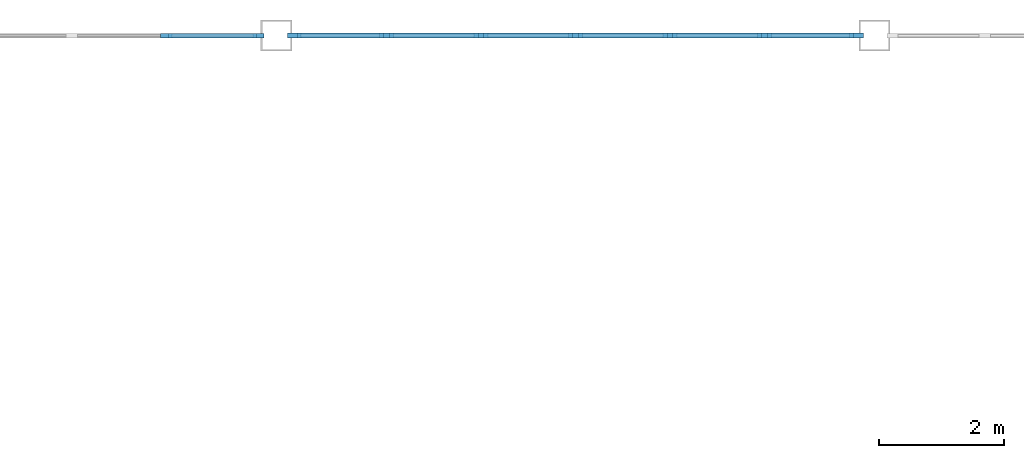
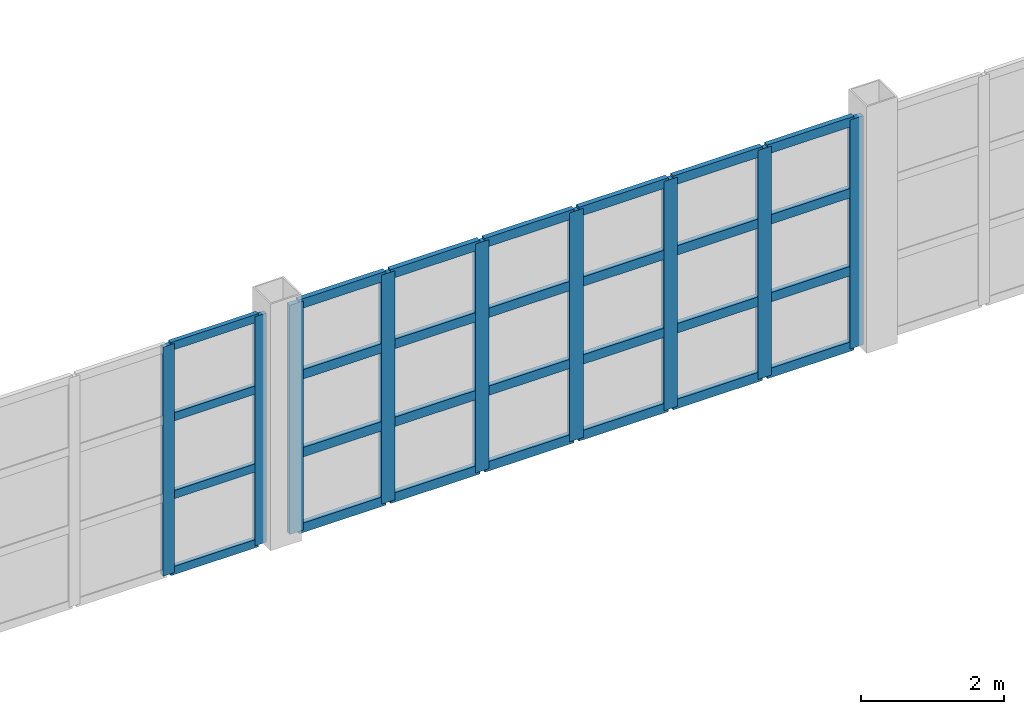
# One storey, part 38 of 82: 37 members, 2 elements without a shape of their own.
"""IFC4 building model written with IfcOpenShell, lengths in metres."""

from ifc_helpers import new_model, si_unit, direction, frame, origin, origin_2d, place, context, subcontext, project, spatial, rectangle, extrude, material, layer, layer_set, material_profile, profile_set, type_object, element, aggregate, save


model = new_model("IFC4")

# Units and contexts
model_context = context("Model", 3, precision=1e-05, world=origin(), true_north=direction((0.0, 1.0)))
body_context = subcontext(model_context, "Body", "Model", "MODEL_VIEW")
ifc_project = project(units=[si_unit("LENGTHUNIT", "METRE"), si_unit("AREAUNIT", "SQUARE_METRE"), si_unit("VOLUMEUNIT", "CUBIC_METRE"), si_unit("PLANEANGLEUNIT", "RADIAN"), si_unit("MASSUNIT", "GRAM", prefix="KILO")], contexts=[model_context])

# Site, building, storey
site_placement = place(None, origin())
site = spatial("IfcSite", under=ifc_project, at=site_placement, CompositionType="ELEMENT")
building_placement = place(site_placement, origin())
building = spatial("IfcBuilding", under=site, at=building_placement, Name="Zarnetskaya Central Station", CompositionType="ELEMENT")
storey_placement = place(building_placement, frame((0.0, 0.0, 10.199951171875)))
storey = spatial("IfcBuildingStorey", under=building, at=storey_placement, Name="L02", CompositionType="ELEMENT", Elevation=10.199951171875)

# Curtain wall, members
ifc_material_1 = material(Name="Low-E insulated glass", Category="glass")
ifc_layer = layer(ifc_material_1, 0.1640625, Name="Low-E insulated glass", Category="glass")
ifc_layer_set = layer_set([ifc_layer], Name="Low-E insulated glass")
curtain_wall_type = type_object("IfcCurtainWallType", Name="CW-SYS-12", PredefinedType="USERDEFINED", material=ifc_layer_set)
curtain_wall_1_placement = place(storey_placement, origin())
curtain_wall_1 = element("IfcCurtainWall", 1, at=curtain_wall_1_placement, inside=storey, type_object=curtain_wall_type, Name="Curtain wall CW-L02-171", ObjectType="CURTAIN WALL", PredefinedType="USERDEFINED")
ifc_material_2 = material(Name="Anodised aluminium", Category="aluminium")
ifc_material_profile_1 = material_profile(ifc_material_2, rectangle(XDim=0.070068359375, YDim=0.179931640625, at=origin_2d()), Name="ALU MULL 70x180")
ifc_profile_set_1 = profile_set([ifc_material_profile_1], Name="Anodised aluminium")
member_type_1 = type_object("IfcMemberType", Name="CW-MULL-180", PredefinedType="MULLION", material=ifc_profile_set_1)
member_1_placement = place(storey_placement, frame((84.63330078125, 124.800048828125, 0.0), z_axis=(0.0, 0.0, 1.0), x_axis=(0.0, 1.0, 0.0)))
member_1 = element("IfcMember", 2, at=member_1_placement, type_object=member_type_1, Name="CW-18 mullion 6", PredefinedType="MULLION", context=body_context, shape_type="SweptSolid", body=[
    extrude(rectangle(XDim=0.070068359375, YDim=0.179931640625, at=origin_2d()), origin(), (0.0, 0.0, 1.0), 3.900146484375),
])
member_2_placement = place(storey_placement, frame((86.114990234375, 124.800048828125, 0.0), z_axis=(0.0, 0.0, 1.0), x_axis=(0.0, 1.0, 0.0)))
member_2 = element("IfcMember", 3, at=member_2_placement, type_object=member_type_1, Name="CW-18 mullion 7", PredefinedType="MULLION", context=body_context, shape_type="SweptSolid", body=[
    extrude(rectangle(XDim=0.070068359375, YDim=0.179931640625, at=origin_2d()), origin(), (0.0, 0.0, 1.0), 3.900146484375),
])

curtain_wall_2_placement = place(storey_placement, origin())
curtain_wall_2 = element("IfcCurtainWall", 4, at=curtain_wall_2_placement, inside=storey, type_object=curtain_wall_type, Name="Curtain wall CW-L02-172", ObjectType="CURTAIN WALL", PredefinedType="USERDEFINED")
ifc_material_profile_2 = material_profile(ifc_material_2, rectangle(XDim=0.080078125, YDim=0.219970703125, at=origin_2d()), Name="ALU MULL 80x220")
ifc_profile_set_2 = profile_set([ifc_material_profile_2], Name="Anodised aluminium")
member_type_2 = type_object("IfcMemberType", Name="CW-MULL-220", PredefinedType="MULLION", material=ifc_profile_set_2)
member_3_placement = place(storey_placement, frame((86.68994140625, 124.800048828125, 0.0), z_axis=(0.0, 0.0, 1.0), x_axis=(0.0, 1.0, 0.0)))
member_3 = element("IfcMember", 5, at=member_3_placement, type_object=member_type_2, Name="CW-18 mullion 1", PredefinedType="MULLION", context=body_context, shape_type="SweptSolid", body=[
    extrude(rectangle(XDim=0.080078125, YDim=0.219970703125, at=origin_2d()), origin(), (0.0, 0.0, 1.0), 3.900146484375),
])
member_4_placement = place(storey_placement, frame((88.166748046875, 124.800048828125, 0.0), z_axis=(0.0, 0.0, 1.0), x_axis=(0.0, 1.0, 0.0)))
member_4 = element("IfcMember", 6, at=member_4_placement, type_object=member_type_2, Name="CW-18 mullion 2", PredefinedType="MULLION", context=body_context, shape_type="SweptSolid", body=[
    extrude(rectangle(XDim=0.080078125, YDim=0.219970703125, at=origin_2d()), origin(), (0.0, 0.0, 1.0), 3.900146484375),
])
member_5_placement = place(storey_placement, frame((89.683349609375, 124.800048828125, 0.0), z_axis=(0.0, 0.0, 1.0), x_axis=(0.0, 1.0, 0.0)))
member_5 = element("IfcMember", 7, at=member_5_placement, type_object=member_type_2, Name="CW-18 mullion 3", PredefinedType="MULLION", context=body_context, shape_type="SweptSolid", body=[
    extrude(rectangle(XDim=0.080078125, YDim=0.219970703125, at=origin_2d()), origin(), (0.0, 0.0, 1.0), 3.900146484375),
])
member_6_placement = place(storey_placement, frame((91.199951171875, 124.800048828125, 0.0), z_axis=(0.0, 0.0, 1.0), x_axis=(0.0, 1.0, 0.0)))
member_6 = element("IfcMember", 8, at=member_6_placement, type_object=member_type_2, Name="CW-18 mullion 4", PredefinedType="MULLION", context=body_context, shape_type="SweptSolid", body=[
    extrude(rectangle(XDim=0.080078125, YDim=0.219970703125, at=origin_2d()), origin(), (0.0, 0.0, 1.0), 3.900146484375),
])
member_7_placement = place(storey_placement, frame((92.716552734375, 124.800048828125, 0.0), z_axis=(0.0, 0.0, 1.0), x_axis=(0.0, 1.0, 0.0)))
member_7 = element("IfcMember", 9, at=member_7_placement, type_object=member_type_2, Name="CW-18 mullion 5", PredefinedType="MULLION", context=body_context, shape_type="SweptSolid", body=[
    extrude(rectangle(XDim=0.080078125, YDim=0.219970703125, at=origin_2d()), origin(), (0.0, 0.0, 1.0), 3.900146484375),
])
member_8_placement = place(storey_placement, frame((94.2333984375, 124.800048828125, 0.0), z_axis=(0.0, 0.0, 1.0), x_axis=(0.0, 1.0, 0.0)))
member_8 = element("IfcMember", 10, at=member_8_placement, type_object=member_type_2, Name="CW-18 mullion 6", PredefinedType="MULLION", context=body_context, shape_type="SweptSolid", body=[
    extrude(rectangle(XDim=0.080078125, YDim=0.219970703125, at=origin_2d()), origin(), (0.0, 0.0, 1.0), 3.900146484375),
])
member_9_placement = place(storey_placement, frame((95.7099609375, 124.800048828125, 0.0), z_axis=(0.0, 0.0, 1.0), x_axis=(0.0, 1.0, 0.0)))
member_9 = element("IfcMember", 11, at=member_9_placement, type_object=member_type_2, Name="CW-18 mullion 7", PredefinedType="MULLION", context=body_context, shape_type="SweptSolid", body=[
    extrude(rectangle(XDim=0.080078125, YDim=0.219970703125, at=origin_2d()), origin(), (0.0, 0.0, 1.0), 3.900146484375),
])

# Member
ifc_material_profile_3 = material_profile(ifc_material_2, rectangle(XDim=0.070068359375, YDim=0.139892578125, at=origin_2d()), Name="ALU TRAN 70x140")
ifc_profile_set_3 = profile_set([ifc_material_profile_3], Name="Anodised aluminium")
member_type_3 = type_object("IfcMemberType", Name="CW-TRAN-140", PredefinedType="USERDEFINED", material=ifc_profile_set_3)
member_10_placement = place(storey_placement, frame((84.668212890625, 124.800048828125, 0.03515625), z_axis=(1.0, 0.0, 0.0), x_axis=(0.0, 1.0, 0.0)))
member_10 = element("IfcMember", 12, at=member_10_placement, type_object=member_type_3, Name="CW-18 transom 6.1", ObjectType="TRANSOM", PredefinedType="USERDEFINED", context=body_context, shape_type="SweptSolid", body=[
    extrude(rectangle(XDim=0.070068359375, YDim=0.139892578125, at=origin_2d()), origin(), (0.0, 0.0, 1.0), 1.411865234375),
])

member_11_placement = place(storey_placement, frame((84.668212890625, 124.800048828125, 1.325927734375), z_axis=(1.0, 0.0, 0.0), x_axis=(0.0, 1.0, 0.0)))
member_11 = element("IfcMember", 13, at=member_11_placement, type_object=member_type_3, Name="CW-18 transom 6.2", ObjectType="TRANSOM", PredefinedType="USERDEFINED", context=body_context, shape_type="SweptSolid", body=[
    extrude(rectangle(XDim=0.070068359375, YDim=0.139892578125, at=origin_2d()), origin(), (0.0, 0.0, 1.0), 1.411865234375),
])

member_12_placement = place(storey_placement, frame((84.668212890625, 124.800048828125, 2.652099609375), z_axis=(1.0, 0.0, 0.0), x_axis=(0.0, 1.0, 0.0)))
member_12 = element("IfcMember", 14, at=member_12_placement, type_object=member_type_3, Name="CW-18 transom 6.3", ObjectType="TRANSOM", PredefinedType="USERDEFINED", context=body_context, shape_type="SweptSolid", body=[
    extrude(rectangle(XDim=0.070068359375, YDim=0.139892578125, at=origin_2d()), origin(), (0.0, 0.0, 1.0), 1.411865234375),
])

member_13_placement = place(storey_placement, frame((84.668212890625, 124.800048828125, 3.864990234375), z_axis=(1.0, 0.0, 0.0), x_axis=(0.0, 1.0, 0.0)))
member_13 = element("IfcMember", 15, at=member_13_placement, type_object=member_type_3, Name="CW-18 transom 6.4", ObjectType="TRANSOM", PredefinedType="USERDEFINED", context=body_context, shape_type="SweptSolid", body=[
    extrude(rectangle(XDim=0.070068359375, YDim=0.139892578125, at=origin_2d()), origin(), (0.0, 0.0, 1.0), 1.411865234375),
])

aggregate(curtain_wall_1, [member_1, member_2, member_10, member_11, member_12, member_13])

ifc_material_profile_4 = material_profile(ifc_material_2, rectangle(XDim=0.080078125, YDim=0.159912109375, at=origin_2d()), Name="ALU TRAN 80x160")
ifc_profile_set_4 = profile_set([ifc_material_profile_4], Name="Anodised aluminium")
member_type_4 = type_object("IfcMemberType", Name="CW-TRAN-160", PredefinedType="USERDEFINED", material=ifc_profile_set_4)
member_14_placement = place(storey_placement, frame((86.72998046875, 124.800048828125, 0.0400390625), z_axis=(1.0, 0.0, 0.0), x_axis=(0.0, 1.0, 0.0)))
member_14 = element("IfcMember", 16, at=member_14_placement, type_object=member_type_4, Name="CW-18 transom 1.1", ObjectType="TRANSOM", PredefinedType="USERDEFINED", context=body_context, shape_type="SweptSolid", body=[
    extrude(rectangle(XDim=0.080078125, YDim=0.159912109375, at=origin_2d()), origin(), (0.0, 0.0, 1.0), 1.396728515625),
])

member_15_placement = place(storey_placement, frame((86.72998046875, 124.800048828125, 1.325927734375), z_axis=(1.0, 0.0, 0.0), x_axis=(0.0, 1.0, 0.0)))
member_15 = element("IfcMember", 17, at=member_15_placement, type_object=member_type_4, Name="CW-18 transom 1.2", ObjectType="TRANSOM", PredefinedType="USERDEFINED", context=body_context, shape_type="SweptSolid", body=[
    extrude(rectangle(XDim=0.080078125, YDim=0.159912109375, at=origin_2d()), origin(), (0.0, 0.0, 1.0), 1.396728515625),
])

member_16_placement = place(storey_placement, frame((86.72998046875, 124.800048828125, 2.652099609375), z_axis=(1.0, 0.0, 0.0), x_axis=(0.0, 1.0, 0.0)))
member_16 = element("IfcMember", 18, at=member_16_placement, type_object=member_type_4, Name="CW-18 transom 1.3", ObjectType="TRANSOM", PredefinedType="USERDEFINED", context=body_context, shape_type="SweptSolid", body=[
    extrude(rectangle(XDim=0.080078125, YDim=0.159912109375, at=origin_2d()), origin(), (0.0, 0.0, 1.0), 1.396728515625),
])

member_17_placement = place(storey_placement, frame((86.72998046875, 124.800048828125, 3.860107421875), z_axis=(1.0, 0.0, 0.0), x_axis=(0.0, 1.0, 0.0)))
member_17 = element("IfcMember", 19, at=member_17_placement, type_object=member_type_4, Name="CW-18 transom 1.4", ObjectType="TRANSOM", PredefinedType="USERDEFINED", context=body_context, shape_type="SweptSolid", body=[
    extrude(rectangle(XDim=0.080078125, YDim=0.159912109375, at=origin_2d()), origin(), (0.0, 0.0, 1.0), 1.396728515625),
])

member_18_placement = place(storey_placement, frame((88.206787109375, 124.800048828125, 0.0400390625), z_axis=(1.0, 0.0, 0.0), x_axis=(0.0, 1.0, 0.0)))
member_18 = element("IfcMember", 20, at=member_18_placement, type_object=member_type_4, Name="CW-18 transom 2.1", ObjectType="TRANSOM", PredefinedType="USERDEFINED", context=body_context, shape_type="SweptSolid", body=[
    extrude(rectangle(XDim=0.080078125, YDim=0.159912109375, at=origin_2d()), origin(), (0.0, 0.0, 1.0), 1.4365234375),
])

member_19_placement = place(storey_placement, frame((88.206787109375, 124.800048828125, 1.325927734375), z_axis=(1.0, 0.0, 0.0), x_axis=(0.0, 1.0, 0.0)))
member_19 = element("IfcMember", 21, at=member_19_placement, type_object=member_type_4, Name="CW-18 transom 2.2", ObjectType="TRANSOM", PredefinedType="USERDEFINED", context=body_context, shape_type="SweptSolid", body=[
    extrude(rectangle(XDim=0.080078125, YDim=0.159912109375, at=origin_2d()), origin(), (0.0, 0.0, 1.0), 1.4365234375),
])

member_20_placement = place(storey_placement, frame((88.206787109375, 124.800048828125, 2.652099609375), z_axis=(1.0, 0.0, 0.0), x_axis=(0.0, 1.0, 0.0)))
member_20 = element("IfcMember", 22, at=member_20_placement, type_object=member_type_4, Name="CW-18 transom 2.3", ObjectType="TRANSOM", PredefinedType="USERDEFINED", context=body_context, shape_type="SweptSolid", body=[
    extrude(rectangle(XDim=0.080078125, YDim=0.159912109375, at=origin_2d()), origin(), (0.0, 0.0, 1.0), 1.4365234375),
])

member_21_placement = place(storey_placement, frame((88.206787109375, 124.800048828125, 3.860107421875), z_axis=(1.0, 0.0, 0.0), x_axis=(0.0, 1.0, 0.0)))
member_21 = element("IfcMember", 23, at=member_21_placement, type_object=member_type_4, Name="CW-18 transom 2.4", ObjectType="TRANSOM", PredefinedType="USERDEFINED", context=body_context, shape_type="SweptSolid", body=[
    extrude(rectangle(XDim=0.080078125, YDim=0.159912109375, at=origin_2d()), origin(), (0.0, 0.0, 1.0), 1.4365234375),
])

member_22_placement = place(storey_placement, frame((89.723388671875, 124.800048828125, 0.0400390625), z_axis=(1.0, 0.0, 0.0), x_axis=(0.0, 1.0, 0.0)))
member_22 = element("IfcMember", 24, at=member_22_placement, type_object=member_type_4, Name="CW-18 transom 3.1", ObjectType="TRANSOM", PredefinedType="USERDEFINED", context=body_context, shape_type="SweptSolid", body=[
    extrude(rectangle(XDim=0.080078125, YDim=0.159912109375, at=origin_2d()), origin(), (0.0, 0.0, 1.0), 1.4365234375),
])

member_23_placement = place(storey_placement, frame((89.723388671875, 124.800048828125, 1.325927734375), z_axis=(1.0, 0.0, 0.0), x_axis=(0.0, 1.0, 0.0)))
member_23 = element("IfcMember", 25, at=member_23_placement, type_object=member_type_4, Name="CW-18 transom 3.2", ObjectType="TRANSOM", PredefinedType="USERDEFINED", context=body_context, shape_type="SweptSolid", body=[
    extrude(rectangle(XDim=0.080078125, YDim=0.159912109375, at=origin_2d()), origin(), (0.0, 0.0, 1.0), 1.4365234375),
])

member_24_placement = place(storey_placement, frame((89.723388671875, 124.800048828125, 2.652099609375), z_axis=(1.0, 0.0, 0.0), x_axis=(0.0, 1.0, 0.0)))
member_24 = element("IfcMember", 26, at=member_24_placement, type_object=member_type_4, Name="CW-18 transom 3.3", ObjectType="TRANSOM", PredefinedType="USERDEFINED", context=body_context, shape_type="SweptSolid", body=[
    extrude(rectangle(XDim=0.080078125, YDim=0.159912109375, at=origin_2d()), origin(), (0.0, 0.0, 1.0), 1.4365234375),
])

member_25_placement = place(storey_placement, frame((89.723388671875, 124.800048828125, 3.860107421875), z_axis=(1.0, 0.0, 0.0), x_axis=(0.0, 1.0, 0.0)))
member_25 = element("IfcMember", 27, at=member_25_placement, type_object=member_type_4, Name="CW-18 transom 3.4", ObjectType="TRANSOM", PredefinedType="USERDEFINED", context=body_context, shape_type="SweptSolid", body=[
    extrude(rectangle(XDim=0.080078125, YDim=0.159912109375, at=origin_2d()), origin(), (0.0, 0.0, 1.0), 1.4365234375),
])

member_26_placement = place(storey_placement, frame((91.239990234375, 124.800048828125, 0.0400390625), z_axis=(1.0, 0.0, 0.0), x_axis=(0.0, 1.0, 0.0)))
member_26 = element("IfcMember", 28, at=member_26_placement, type_object=member_type_4, Name="CW-18 transom 4.1", ObjectType="TRANSOM", PredefinedType="USERDEFINED", context=body_context, shape_type="SweptSolid", body=[
    extrude(rectangle(XDim=0.080078125, YDim=0.159912109375, at=origin_2d()), origin(), (0.0, 0.0, 1.0), 1.436767578125),
])

member_27_placement = place(storey_placement, frame((91.239990234375, 124.800048828125, 1.325927734375), z_axis=(1.0, 0.0, 0.0), x_axis=(0.0, 1.0, 0.0)))
member_27 = element("IfcMember", 29, at=member_27_placement, type_object=member_type_4, Name="CW-18 transom 4.2", ObjectType="TRANSOM", PredefinedType="USERDEFINED", context=body_context, shape_type="SweptSolid", body=[
    extrude(rectangle(XDim=0.080078125, YDim=0.159912109375, at=origin_2d()), origin(), (0.0, 0.0, 1.0), 1.436767578125),
])

member_28_placement = place(storey_placement, frame((91.239990234375, 124.800048828125, 2.652099609375), z_axis=(1.0, 0.0, 0.0), x_axis=(0.0, 1.0, 0.0)))
member_28 = element("IfcMember", 30, at=member_28_placement, type_object=member_type_4, Name="CW-18 transom 4.3", ObjectType="TRANSOM", PredefinedType="USERDEFINED", context=body_context, shape_type="SweptSolid", body=[
    extrude(rectangle(XDim=0.080078125, YDim=0.159912109375, at=origin_2d()), origin(), (0.0, 0.0, 1.0), 1.436767578125),
])

member_29_placement = place(storey_placement, frame((91.239990234375, 124.800048828125, 3.860107421875), z_axis=(1.0, 0.0, 0.0), x_axis=(0.0, 1.0, 0.0)))
member_29 = element("IfcMember", 31, at=member_29_placement, type_object=member_type_4, Name="CW-18 transom 4.4", ObjectType="TRANSOM", PredefinedType="USERDEFINED", context=body_context, shape_type="SweptSolid", body=[
    extrude(rectangle(XDim=0.080078125, YDim=0.159912109375, at=origin_2d()), origin(), (0.0, 0.0, 1.0), 1.436767578125),
])

member_30_placement = place(storey_placement, frame((92.756591796875, 124.800048828125, 0.0400390625), z_axis=(1.0, 0.0, 0.0), x_axis=(0.0, 1.0, 0.0)))
member_30 = element("IfcMember", 32, at=member_30_placement, type_object=member_type_4, Name="CW-18 transom 5.1", ObjectType="TRANSOM", PredefinedType="USERDEFINED", context=body_context, shape_type="SweptSolid", body=[
    extrude(rectangle(XDim=0.080078125, YDim=0.159912109375, at=origin_2d()), origin(), (0.0, 0.0, 1.0), 1.436767578125),
])

member_31_placement = place(storey_placement, frame((92.756591796875, 124.800048828125, 1.325927734375), z_axis=(1.0, 0.0, 0.0), x_axis=(0.0, 1.0, 0.0)))
member_31 = element("IfcMember", 33, at=member_31_placement, type_object=member_type_4, Name="CW-18 transom 5.2", ObjectType="TRANSOM", PredefinedType="USERDEFINED", context=body_context, shape_type="SweptSolid", body=[
    extrude(rectangle(XDim=0.080078125, YDim=0.159912109375, at=origin_2d()), origin(), (0.0, 0.0, 1.0), 1.436767578125),
])

member_32_placement = place(storey_placement, frame((92.756591796875, 124.800048828125, 2.652099609375), z_axis=(1.0, 0.0, 0.0), x_axis=(0.0, 1.0, 0.0)))
member_32 = element("IfcMember", 34, at=member_32_placement, type_object=member_type_4, Name="CW-18 transom 5.3", ObjectType="TRANSOM", PredefinedType="USERDEFINED", context=body_context, shape_type="SweptSolid", body=[
    extrude(rectangle(XDim=0.080078125, YDim=0.159912109375, at=origin_2d()), origin(), (0.0, 0.0, 1.0), 1.436767578125),
])

member_33_placement = place(storey_placement, frame((92.756591796875, 124.800048828125, 3.860107421875), z_axis=(1.0, 0.0, 0.0), x_axis=(0.0, 1.0, 0.0)))
member_33 = element("IfcMember", 35, at=member_33_placement, type_object=member_type_4, Name="CW-18 transom 5.4", ObjectType="TRANSOM", PredefinedType="USERDEFINED", context=body_context, shape_type="SweptSolid", body=[
    extrude(rectangle(XDim=0.080078125, YDim=0.159912109375, at=origin_2d()), origin(), (0.0, 0.0, 1.0), 1.436767578125),
])

member_34_placement = place(storey_placement, frame((94.2734375, 124.800048828125, 0.0400390625), z_axis=(1.0, 0.0, 0.0), x_axis=(0.0, 1.0, 0.0)))
member_34 = element("IfcMember", 36, at=member_34_placement, type_object=member_type_4, Name="CW-18 transom 6.1", ObjectType="TRANSOM", PredefinedType="USERDEFINED", context=body_context, shape_type="SweptSolid", body=[
    extrude(rectangle(XDim=0.080078125, YDim=0.159912109375, at=origin_2d()), origin(), (0.0, 0.0, 1.0), 1.396484375),
])

member_35_placement = place(storey_placement, frame((94.2734375, 124.800048828125, 1.325927734375), z_axis=(1.0, 0.0, 0.0), x_axis=(0.0, 1.0, 0.0)))
member_35 = element("IfcMember", 37, at=member_35_placement, type_object=member_type_4, Name="CW-18 transom 6.2", ObjectType="TRANSOM", PredefinedType="USERDEFINED", context=body_context, shape_type="SweptSolid", body=[
    extrude(rectangle(XDim=0.080078125, YDim=0.159912109375, at=origin_2d()), origin(), (0.0, 0.0, 1.0), 1.396484375),
])

member_36_placement = place(storey_placement, frame((94.2734375, 124.800048828125, 2.652099609375), z_axis=(1.0, 0.0, 0.0), x_axis=(0.0, 1.0, 0.0)))
member_36 = element("IfcMember", 38, at=member_36_placement, type_object=member_type_4, Name="CW-18 transom 6.3", ObjectType="TRANSOM", PredefinedType="USERDEFINED", context=body_context, shape_type="SweptSolid", body=[
    extrude(rectangle(XDim=0.080078125, YDim=0.159912109375, at=origin_2d()), origin(), (0.0, 0.0, 1.0), 1.396484375),
])

member_37_placement = place(storey_placement, frame((94.2734375, 124.800048828125, 3.860107421875), z_axis=(1.0, 0.0, 0.0), x_axis=(0.0, 1.0, 0.0)))
member_37 = element("IfcMember", 39, at=member_37_placement, type_object=member_type_4, Name="CW-18 transom 6.4", ObjectType="TRANSOM", PredefinedType="USERDEFINED", context=body_context, shape_type="SweptSolid", body=[
    extrude(rectangle(XDim=0.080078125, YDim=0.159912109375, at=origin_2d()), origin(), (0.0, 0.0, 1.0), 1.396484375),
])

aggregate(curtain_wall_2, [member_3, member_4, member_5, member_6, member_7, member_8, member_9, member_14, member_15, member_16, member_17, member_18, member_19, member_20, member_21, member_22, member_23, member_24, member_25, member_26, member_27, member_28, member_29, member_30, member_31, member_32, member_33, member_34, member_35, member_36, member_37])

save(model, "model.ifc")
